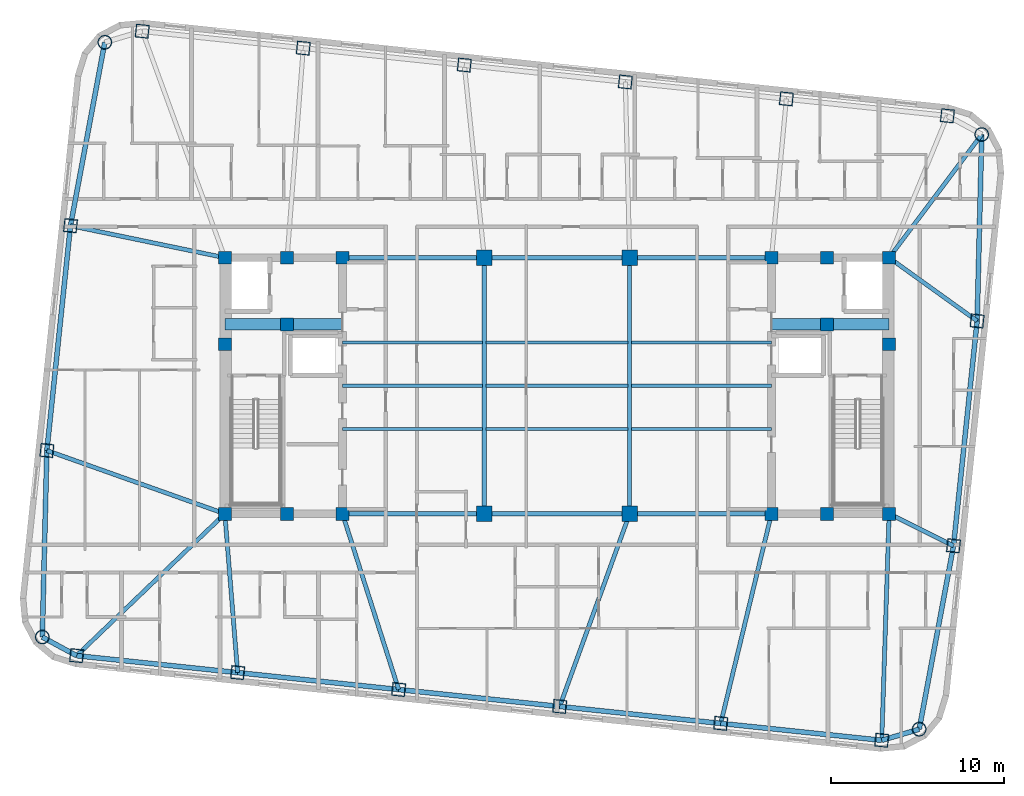
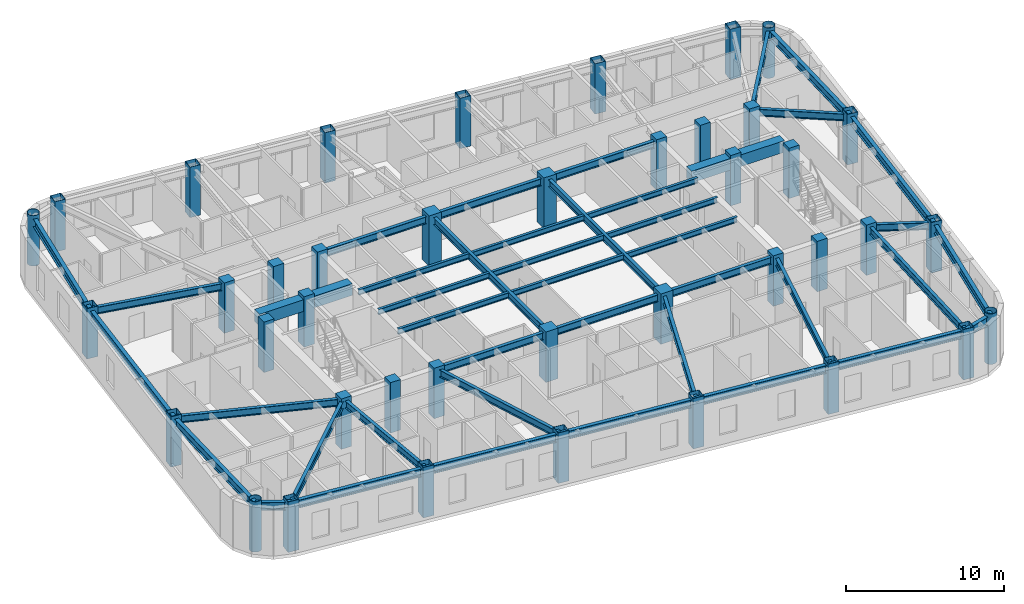
# One storey, part 1 of 11: 43 beams, 40 columns.
"""IFC4 building model written with IfcOpenShell, lengths in metres."""

from ifc_helpers import new_model, si_unit, direction, frame, origin, origin_2d, place, context, subcontext, project, spatial, rectangle, hollow_rectangle, hollow_circle, i_section, extrude, material, material_profile, profile_set, type_object, element, save


model = new_model("IFC4")

# Units and contexts
model_context = context("Model", 3, precision=1e-05, world=origin(), true_north=direction((0.0, 1.0)))
body_context = subcontext(model_context, "Body", "Model", "MODEL_VIEW")
ifc_project = project(units=[si_unit("LENGTHUNIT", "METRE"), si_unit("AREAUNIT", "SQUARE_METRE"), si_unit("VOLUMEUNIT", "CUBIC_METRE"), si_unit("PLANEANGLEUNIT", "RADIAN"), si_unit("MASSUNIT", "GRAM", prefix="KILO")], contexts=[model_context])

# Site, building, storey
site_placement = place(None, origin())
site = spatial("IfcSite", under=ifc_project, at=site_placement, CompositionType="ELEMENT")
building_placement = place(site_placement, origin())
building = spatial("IfcBuilding", under=site, at=building_placement, Name="Voryun Gate Residences", CompositionType="ELEMENT")
storey_placement = place(building_placement, frame((0.0, 0.0, 283.39990234375)))
storey = spatial("IfcBuildingStorey", under=building, at=storey_placement, Name="L70", CompositionType="ELEMENT", Elevation=283.39990234375)

# Columns
ifc_material_1 = material(Name="Concrete C50/60", Category="concrete")
ifc_material_profile_1 = material_profile(ifc_material_1, rectangle(XDim=0.75, YDim=0.75, at=origin_2d()), Name="RC-750x750")
ifc_profile_set_1 = profile_set([ifc_material_profile_1], Name="Concrete C50/60")
column_type_1 = type_object("IfcColumnType", Name="COL_CORE_750", PredefinedType="COLUMN", material=ifc_profile_set_1)
for number, where, z_axis, x_axis, name in (
    (1, (-19.199951171875, -7.39990234375, 0.0), (0.0, 0.0, 1.0), (1.0, 0.0, 0.0), "L70 Core boundary column WC-SW"),
    (2, (-19.199951171875, 2.39990234375, 0.0), (0.0, 0.0, 1.0), (1.0, 0.0, 0.0), "L70 Core boundary column WC-MW"),
    (3, (-19.199951171875, 7.39990234375, 0.0), (0.0, 0.0, 1.0), (1.0, 0.0, 0.0), "L70 Core boundary column WC-NW"),
    (4, (-15.60009765625, -7.39990234375, 0.0), (0.0, 0.0, 1.0), (1.0, 0.0, 0.0), "L70 Core boundary column WC-SM"),
    (5, (-15.60009765625, 7.39990234375, 0.0), (0.0, 0.0, 1.0), (1.0, 0.0, 0.0), "L70 Core boundary column WC-NM"),
    (6, (-12.39990234375, -7.39990234375, 0.0), (0.0, 0.0, 1.0), (1.0, 0.0, 0.0), "L70 Core boundary column WC-SE"),
    (7, (-15.60009765625, 3.550048828125, 0.0), (0.0, 0.0, 1.0), (1.0, 0.0, 0.0), "L70 Core boundary column WC-MM"),
    (8, (-12.39990234375, 7.39990234375, 0.0), (0.0, 0.0, 1.0), (1.0, 0.0, 0.0), "L70 Core boundary column WC-NE"),
    (9, (12.39990234375, -7.39990234375, 0.0), (0.0, 0.0, 1.0), (1.0, 0.0, 0.0), "L70 Core boundary column EC-SW"),
    (10, (15.60009765625, 3.550048828125, 0.0), (0.0, 0.0, 1.0), (1.0, 0.0, 0.0), "L70 Core boundary column EC-MM"),
    (11, (12.39990234375, 7.39990234375, 0.0), (0.0, 0.0, 1.0), (1.0, 0.0, 0.0), "L70 Core boundary column EC-NW"),
    (12, (15.60009765625, -7.39990234375, 0.0), (0.0, 0.0, 1.0), (1.0, 0.0, 0.0), "L70 Core boundary column EC-SM"),
    (13, (15.60009765625, 7.39990234375, 0.0), (0.0, 0.0, 1.0), (1.0, 0.0, 0.0), "L70 Core boundary column EC-NM"),
    (14, (19.199951171875, -7.39990234375, 0.0), (0.0, 0.0, 1.0), (1.0, 0.0, 0.0), "L70 Core boundary column EC-SE"),
    (15, (19.199951171875, 2.39990234375, 0.0), (0.0, 0.0, 1.0), (1.0, 0.0, 0.0), "L70 Core boundary column EC-ME"),
    (16, (19.199951171875, 7.39990234375, 0.0), (0.0, 0.0, 1.0), (1.0, 0.0, 0.0), "L70 Core boundary column EC-NE"),
):
    element("IfcColumn", number, at=place(storey_placement, frame(where, z_axis=z_axis, x_axis=x_axis)), inside=storey, type_object=column_type_1, Name=name, PredefinedType="COLUMN", context=body_context, shape_type="SweptSolid", body=[
        extrude(rectangle(XDim=0.75, YDim=0.75, at=origin_2d()), origin(), (0.0, 0.0, 1.0), 3.900146484375),
    ])
ifc_material_2 = material(Name="Concrete C50/60", Category="concrete")
ifc_material_profile_2 = material_profile(ifc_material_2, rectangle(XDim=0.89990234375, YDim=0.89990234375, at=origin_2d()), Name="RC-900x900")
ifc_profile_set_2 = profile_set([ifc_material_profile_2], Name="Concrete C50/60")
column_type_2 = type_object("IfcColumnType", Name="COL_CORE_900", PredefinedType="COLUMN", material=ifc_profile_set_2)
for number, where, z_axis, x_axis, name in (
    (17, (-4.199951171875, -7.39990234375, 0.0), (0.0, 0.0, 1.0), (1.0, 0.0, 0.0), "L70 Interior spine column SP-WS"),
    (18, (-4.199951171875, 7.39990234375, 0.0), (0.0, 0.0, 1.0), (1.0, 0.0, 0.0), "L70 Interior spine column SP-WN"),
    (19, (4.199951171875, -7.39990234375, 0.0), (0.0, 0.0, 1.0), (1.0, 0.0, 0.0), "L70 Interior spine column SP-ES"),
    (20, (4.199951171875, 7.39990234375, 0.0), (0.0, 0.0, 1.0), (1.0, 0.0, 0.0), "L70 Interior spine column SP-EN"),
):
    element("IfcColumn", number, at=place(storey_placement, frame(where, z_axis=z_axis, x_axis=x_axis)), inside=storey, type_object=column_type_2, Name=name, PredefinedType="COLUMN", context=body_context, shape_type="SweptSolid", body=[
        extrude(rectangle(XDim=0.89990234375, YDim=0.89990234375, at=origin_2d()), origin(), (0.0, 0.0, 1.0), 3.900146484375),
    ])
ifc_material_3 = material(Name="Steel SM355", Category="steel")
ifc_material_profile_3 = material_profile(ifc_material_3, hollow_circle(Radius=0.39990234375, WallThickness=0.028076171875, at=origin_2d()), Name="CHS-800x28")
ifc_profile_set_3 = profile_set([ifc_material_profile_3], Name="Steel SM355")
column_type_3 = type_object("IfcColumnType", Name="COL_CRN_800", PredefinedType="COLUMN", material=ifc_profile_set_3)
for number, where, z_axis, x_axis, name in (
    (21, (20.939453125, -19.855224609375, 0.0), (0.0, 0.0, 1.0), (0.994521895368, -0.104528463268, 0.0), "L70 Exoskeleton column CSE"),
    (22, (24.55322265625, 14.52734375, 0.0), (0.0, 0.0, 1.0), (0.994521895368, -0.104528463268, 0.0), "L70 Exoskeleton column CNE"),
    (23, (-26.139404296875, 19.855224609375, 0.0), (0.0, 0.0, 1.0), (0.994521895368, -0.104528463268, 0.0), "L70 Exoskeleton column CNW"),
    (24, (-29.753173828125, -14.52734375, 0.0), (0.0, 0.0, 1.0), (0.994521895368, -0.104528463268, 0.0), "L70 Exoskeleton column CSW"),
):
    element("IfcColumn", number, at=place(storey_placement, frame(where, z_axis=z_axis, x_axis=x_axis)), inside=storey, type_object=column_type_3, Name=name, PredefinedType="COLUMN", context=body_context, shape_type="SweptSolid", body=[
        extrude(hollow_circle(Radius=0.39990234375, WallThickness=0.028076171875, at=origin_2d()), origin(), (0.0, 0.0, 1.0), 3.900146484375),
    ])
ifc_material_4 = material(Name="Steel SM355", Category="steel")
ifc_material_profile_4 = material_profile(ifc_material_4, hollow_rectangle(XDim=0.75, YDim=0.75, WallThickness=0.02490234375, at=origin_2d()), Name="BOX-750x750x25")
ifc_profile_set_4 = profile_set([ifc_material_profile_4], Name="Steel SM355")
column_type_4 = type_object("IfcColumnType", Name="COL_EXO_B5", PredefinedType="COLUMN", material=ifc_profile_set_4)
for number, where, z_axis, x_axis, name in (
    (25, (-27.76904296875, -15.6044921875, 0.0), (0.0, 0.0, 1.0), (0.994521895368, -0.104528463268, 0.0), "L70 Exoskeleton column S1"),
    (26, (-18.460205078125, -16.5830078125, 0.0), (0.0, 0.0, 1.0), (0.994521895368, -0.104528463268, 0.0), "L70 Exoskeleton column S2"),
    (27, (-9.151611328125, -17.561279296875, 0.0), (0.0, 0.0, 1.0), (0.994521895368, -0.104528463268, 0.0), "L70 Exoskeleton column S3"),
    (28, (0.1572265625, -18.539794921875, 0.0), (0.0, 0.0, 1.0), (0.994521895368, -0.104528463268, 0.0), "L70 Exoskeleton column S4"),
    (29, (9.4658203125, -19.51806640625, 0.0), (0.0, 0.0, 1.0), (0.994521895368, -0.104528463268, 0.0), "L70 Exoskeleton column S5"),
    (30, (18.774658203125, -20.49658203125, 0.0), (0.0, 0.0, 1.0), (0.994521895368, -0.104528463268, 0.0), "L70 Exoskeleton column S6"),
    (31, (22.922607421875, -9.25244140625, 0.0), (0.0, 0.0, 1.0), (0.994521895368, -0.104528463268, 0.0), "L70 Exoskeleton column E1"),
    (32, (24.28857421875, 3.743896484375, 0.0), (0.0, 0.0, 1.0), (0.994521895368, -0.104528463268, 0.0), "L70 Exoskeleton column E2"),
    (33, (22.569091796875, 15.6044921875, 0.0), (0.0, 0.0, 1.0), (0.994521895368, -0.104528463268, 0.0), "L70 Exoskeleton column N1"),
    (34, (13.26025390625, 16.5830078125, 0.0), (0.0, 0.0, 1.0), (0.994521895368, -0.104528463268, 0.0), "L70 Exoskeleton column N2"),
    (35, (3.95166015625, 17.561279296875, 0.0), (0.0, 0.0, 1.0), (0.994521895368, -0.104528463268, 0.0), "L70 Exoskeleton column N3"),
    (36, (-5.357177734375, 18.539794921875, 0.0), (0.0, 0.0, 1.0), (0.994521895368, -0.104528463268, 0.0), "L70 Exoskeleton column N4"),
    (37, (-14.666015625, 19.51806640625, 0.0), (0.0, 0.0, 1.0), (0.994521895368, -0.104528463268, 0.0), "L70 Exoskeleton column N5"),
    (38, (-23.974609375, 20.49658203125, 0.0), (0.0, 0.0, 1.0), (0.994521895368, -0.104528463268, 0.0), "L70 Exoskeleton column N6"),
    (39, (-28.12255859375, 9.25244140625, 0.0), (0.0, 0.0, 1.0), (0.994521895368, -0.104528463268, 0.0), "L70 Exoskeleton column W1"),
    (40, (-29.488525390625, -3.743896484375, 0.0), (0.0, 0.0, 1.0), (0.994521895368, -0.104528463268, 0.0), "L70 Exoskeleton column W2"),
):
    element("IfcColumn", number, at=place(storey_placement, frame(where, z_axis=z_axis, x_axis=x_axis)), inside=storey, type_object=column_type_4, Name=name, PredefinedType="COLUMN", context=body_context, shape_type="SweptSolid", body=[
        extrude(hollow_rectangle(XDim=0.75, YDim=0.75, WallThickness=0.02490234375, at=origin_2d()), origin(), (0.0, 0.0, 1.0), 3.900146484375),
    ])

# Beams
ifc_material_5 = material(Name="Concrete C60/75", Category="concrete")
ifc_material_profile_5 = material_profile(ifc_material_5, rectangle(XDim=0.64990234375, YDim=0.89990234375, at=origin_2d()), Name="RC-650x900")
ifc_profile_set_5 = profile_set([ifc_material_profile_5], Name="Concrete C60/75")
beam_type_1 = type_object("IfcBeamType", Name="BM_COUP_RC900", PredefinedType="LINTEL", material=ifc_profile_set_5)
for number, where, z_axis, x_axis, name in (
    (41, (-19.199951171875, 3.550048828125, 3.2001953125), (1.0, 0.0, 0.0), (0.0, 1.0, 0.0), "BM-L70-WC1"),
    (42, (12.39990234375, 3.550048828125, 3.2001953125), (1.0, 0.0, 0.0), (0.0, 1.0, 0.0), "BM-L70-EC1"),
):
    element("IfcBeam", number, at=place(storey_placement, frame(where, z_axis=z_axis, x_axis=x_axis)), inside=storey, type_object=beam_type_1, Name=name, PredefinedType="LINTEL", context=body_context, shape_type="SweptSolid", body=[
        extrude(rectangle(XDim=0.64990234375, YDim=0.89990234375, at=origin_2d()), origin(), (0.0, 0.0, 1.0), 6.800048828125),
    ])
ifc_material_6 = material(Name="Steel SM355", Category="steel")
ifc_material_profile_6 = material_profile(ifc_material_6, i_section(OverallWidth=0.280029296875, OverallDepth=0.6201171875, WebThickness=0.013916015625, FlangeThickness=0.02197265625, FilletRadius=0.01806640625, at=origin_2d()), Name="H-620x280x14x22")
ifc_profile_set_6 = profile_set([ifc_material_profile_6], Name="Steel SM355")
beam_type_2 = type_object("IfcBeamType", Name="BM_EXO_SPANDREL_H", PredefinedType="SPANDREL", material=ifc_profile_set_6)
beam_1_placement = place(storey_placement, frame((-27.76904296875, -15.6044921875, 3.340087890625), z_axis=(0.994520592114, -0.104540862157, 0.0), x_axis=(0.104540862157, 0.994520592114, 0.0)))
element("IfcBeam", 43, at=beam_1_placement, inside=storey, type_object=beam_type_2, Name="BM-L70-SPAND-01", PredefinedType="SPANDREL", context=body_context, shape_type="SweptSolid", body=[
    extrude(i_section(OverallWidth=0.280029296875, OverallDepth=0.6201171875, WebThickness=0.013916015625, FlangeThickness=0.02197265625, FilletRadius=0.01806640625, at=origin_2d()), origin(), (0.0, 0.0, 1.0), 9.360107421875),
])
beam_2_placement = place(storey_placement, frame((-18.460205078125, -16.5830078125, 3.340087890625), z_axis=(0.994523018663, -0.104517775278, 0.0), x_axis=(0.104517775278, 0.994523018663, 0.0)))
element("IfcBeam", 44, at=beam_2_placement, inside=storey, type_object=beam_type_2, Name="BM-L70-SPAND-02", PredefinedType="SPANDREL", context=body_context, shape_type="SweptSolid", body=[
    extrude(i_section(OverallWidth=0.280029296875, OverallDepth=0.6201171875, WebThickness=0.013916015625, FlangeThickness=0.02197265625, FilletRadius=0.01806640625, at=origin_2d()), origin(), (0.0, 0.0, 1.0), 9.35986328125),
])
beam_3_placement = place(storey_placement, frame((-9.151611328125, -17.561279296875, 3.340087890625), z_axis=(0.994520592114, -0.104540862157, 0.0), x_axis=(0.104540862157, 0.994520592114, 0.0)))
element("IfcBeam", 45, at=beam_3_placement, inside=storey, type_object=beam_type_2, Name="BM-L70-SPAND-03", PredefinedType="SPANDREL", context=body_context, shape_type="SweptSolid", body=[
    extrude(i_section(OverallWidth=0.280029296875, OverallDepth=0.6201171875, WebThickness=0.013916015625, FlangeThickness=0.02197265625, FilletRadius=0.01806640625, at=origin_2d()), origin(), (0.0, 0.0, 1.0), 9.360107421875),
])
beam_4_placement = place(storey_placement, frame((0.1572265625, -18.539794921875, 3.340087890625), z_axis=(0.994523018663, -0.104517775278, 0.0), x_axis=(0.104517775278, 0.994523018663, 0.0)))
element("IfcBeam", 46, at=beam_4_placement, inside=storey, type_object=beam_type_2, Name="BM-L70-SPAND-04", PredefinedType="SPANDREL", context=body_context, shape_type="SweptSolid", body=[
    extrude(i_section(OverallWidth=0.280029296875, OverallDepth=0.6201171875, WebThickness=0.013916015625, FlangeThickness=0.02197265625, FilletRadius=0.01806640625, at=origin_2d()), origin(), (0.0, 0.0, 1.0), 9.35986328125),
])
beam_5_placement = place(storey_placement, frame((9.4658203125, -19.51806640625, 3.340087890625), z_axis=(0.994520592114, -0.104540862157, 0.0), x_axis=(0.104540862157, 0.994520592114, 0.0)))
element("IfcBeam", 47, at=beam_5_placement, inside=storey, type_object=beam_type_2, Name="BM-L70-SPAND-05", PredefinedType="SPANDREL", context=body_context, shape_type="SweptSolid", body=[
    extrude(i_section(OverallWidth=0.280029296875, OverallDepth=0.6201171875, WebThickness=0.013916015625, FlangeThickness=0.02197265625, FilletRadius=0.01806640625, at=origin_2d()), origin(), (0.0, 0.0, 1.0), 9.360107421875),
])
beam_6_placement = place(storey_placement, frame((18.774658203125, -20.49658203125, 3.340087890625), z_axis=(0.958805748412, 0.28406255792, 0.0), x_axis=(-0.28406255792, 0.958805748412, 0.0)))
element("IfcBeam", 48, at=beam_6_placement, inside=storey, type_object=beam_type_2, Name="BM-L70-SPAND-06", PredefinedType="SPANDREL", context=body_context, shape_type="SweptSolid", body=[
    extrude(i_section(OverallWidth=0.280029296875, OverallDepth=0.6201171875, WebThickness=0.013916015625, FlangeThickness=0.02197265625, FilletRadius=0.01806640625, at=origin_2d()), origin(), (0.0, 0.0, 1.0), 2.2578125),
])
beam_7_placement = place(storey_placement, frame((20.939453125, -19.855224609375, 3.340087890625), z_axis=(0.183852585596, 0.982953827384, 0.0), x_axis=(-0.982953827384, 0.183852585596, 0.0)))
element("IfcBeam", 49, at=beam_7_placement, inside=storey, type_object=beam_type_2, Name="BM-L70-SPAND-07", PredefinedType="SPANDREL", context=body_context, shape_type="SweptSolid", body=[
    extrude(i_section(OverallWidth=0.280029296875, OverallDepth=0.6201171875, WebThickness=0.013916015625, FlangeThickness=0.02197265625, FilletRadius=0.01806640625, at=origin_2d()), origin(), (0.0, 0.0, 1.0), 10.78662109375),
])
beam_8_placement = place(storey_placement, frame((22.922607421875, -9.25244140625, 3.340087890625), z_axis=(0.104528209082, 0.994521922084, 0.0), x_axis=(-0.994521922084, 0.104528209082, 0.0)))
element("IfcBeam", 50, at=beam_8_placement, inside=storey, type_object=beam_type_2, Name="BM-L70-SPAND-08", PredefinedType="SPANDREL", context=body_context, shape_type="SweptSolid", body=[
    extrude(i_section(OverallWidth=0.280029296875, OverallDepth=0.6201171875, WebThickness=0.013916015625, FlangeThickness=0.02197265625, FilletRadius=0.01806640625, at=origin_2d()), origin(), (0.0, 0.0, 1.0), 13.06787109375),
])
for number, where, z_axis, x_axis, name in (
    (51, (24.28857421875, 3.743896484375, 3.340087890625), (0.024534711967, 0.999698978647, 0.0), (-0.999698978647, 0.024534711967, 0.0), "BM-L70-SPAND-09"),
    (52, (-26.139404296875, 19.855224609375, 3.340087890625), (-0.183852585596, -0.982953827384, 0.0), (0.982953827384, -0.183852585596, 0.0), "BM-L70-SPAND-17"),
):
    element("IfcBeam", number, at=place(storey_placement, frame(where, z_axis=z_axis, x_axis=x_axis)), inside=storey, type_object=beam_type_2, Name=name, PredefinedType="SPANDREL", context=body_context, shape_type="SweptSolid", body=[
        extrude(i_section(OverallWidth=0.280029296875, OverallDepth=0.6201171875, WebThickness=0.013916015625, FlangeThickness=0.02197265625, FilletRadius=0.01806640625, at=origin_2d()), origin(), (0.0, 0.0, 1.0), 10.78662109375),
    ])
beam_9_placement = place(storey_placement, frame((-28.12255859375, 9.25244140625, 3.340087890625), z_axis=(-0.104528209082, -0.994521922084, 0.0), x_axis=(0.994521922084, -0.104528209082, 0.0)))
element("IfcBeam", 53, at=beam_9_placement, inside=storey, type_object=beam_type_2, Name="BM-L70-SPAND-18", PredefinedType="SPANDREL", context=body_context, shape_type="SweptSolid", body=[
    extrude(i_section(OverallWidth=0.280029296875, OverallDepth=0.6201171875, WebThickness=0.013916015625, FlangeThickness=0.02197265625, FilletRadius=0.01806640625, at=origin_2d()), origin(), (0.0, 0.0, 1.0), 13.06787109375),
])
beam_10_placement = place(storey_placement, frame((-29.488525390625, -3.743896484375, 3.340087890625), z_axis=(-0.024534711967, -0.999698978647, 0.0), x_axis=(0.999698978647, -0.024534711967, 0.0)))
element("IfcBeam", 54, at=beam_10_placement, inside=storey, type_object=beam_type_2, Name="BM-L70-SPAND-19", PredefinedType="SPANDREL", context=body_context, shape_type="SweptSolid", body=[
    extrude(i_section(OverallWidth=0.280029296875, OverallDepth=0.6201171875, WebThickness=0.013916015625, FlangeThickness=0.02197265625, FilletRadius=0.01806640625, at=origin_2d()), origin(), (0.0, 0.0, 1.0), 10.78662109375),
])
beam_11_placement = place(storey_placement, frame((-29.753173828125, -14.52734375, 3.340087890625), z_axis=(0.878844363117, -0.477108567746, 0.0), x_axis=(0.477108567746, 0.878844363117, 0.0)))
element("IfcBeam", 55, at=beam_11_placement, inside=storey, type_object=beam_type_2, Name="BM-L70-SPAND-20", PredefinedType="SPANDREL", context=body_context, shape_type="SweptSolid", body=[
    extrude(i_section(OverallWidth=0.280029296875, OverallDepth=0.6201171875, WebThickness=0.013916015625, FlangeThickness=0.02197265625, FilletRadius=0.01806640625, at=origin_2d()), origin(), (0.0, 0.0, 1.0), 2.257568359375),
])
ifc_material_7 = material(Name="Steel SM355", Category="steel")
ifc_material_profile_7 = material_profile(ifc_material_7, i_section(OverallWidth=0.239990234375, OverallDepth=0.550048828125, WebThickness=0.011962890625, FlangeThickness=0.02001953125, FilletRadius=0.01806640625, at=origin_2d()), Name="H-550x240x12x20")
ifc_profile_set_7 = profile_set([ifc_material_profile_7], Name="Steel SM355")
beam_type_3 = type_object("IfcBeamType", Name="BM_GIRD_550", PredefinedType="USERDEFINED", material=ifc_profile_set_7)
beam_12_placement = place(storey_placement, frame((-12.39990234375, -7.39990234375, 3.375), z_axis=(1.0, 0.0, 0.0), x_axis=(0.0, 1.0, 0.0)))
element("IfcBeam", 56, at=beam_12_placement, inside=storey, type_object=beam_type_3, Name="BM-L70-SPG1-S", ObjectType="GIRDER", PredefinedType="USERDEFINED", context=body_context, shape_type="SweptSolid", body=[
    extrude(i_section(OverallWidth=0.239990234375, OverallDepth=0.550048828125, WebThickness=0.011962890625, FlangeThickness=0.02001953125, FilletRadius=0.01806640625, at=origin_2d()), origin(), (0.0, 0.0, 1.0), 8.199951171875),
])
beam_13_placement = place(storey_placement, frame((-4.199951171875, -7.39990234375, 3.375), z_axis=(1.0, 0.0, 0.0), x_axis=(0.0, 1.0, 0.0)))
element("IfcBeam", 57, at=beam_13_placement, inside=storey, type_object=beam_type_3, Name="BM-L70-SPG2-S", ObjectType="GIRDER", PredefinedType="USERDEFINED", context=body_context, shape_type="SweptSolid", body=[
    extrude(i_section(OverallWidth=0.239990234375, OverallDepth=0.550048828125, WebThickness=0.011962890625, FlangeThickness=0.02001953125, FilletRadius=0.01806640625, at=origin_2d()), origin(), (0.0, 0.0, 1.0), 8.39990234375),
])
for number, where, z_axis, x_axis, name in (
    (58, (4.199951171875, -7.39990234375, 3.375), (1.0, 0.0, 0.0), (0.0, 1.0, 0.0), "BM-L70-SPG3-S"),
    (59, (-12.39990234375, 7.39990234375, 3.375), (1.0, 0.0, 0.0), (0.0, 1.0, 0.0), "BM-L70-SPG1-N"),
):
    element("IfcBeam", number, at=place(storey_placement, frame(where, z_axis=z_axis, x_axis=x_axis)), inside=storey, type_object=beam_type_3, Name=name, ObjectType="GIRDER", PredefinedType="USERDEFINED", context=body_context, shape_type="SweptSolid", body=[
        extrude(i_section(OverallWidth=0.239990234375, OverallDepth=0.550048828125, WebThickness=0.011962890625, FlangeThickness=0.02001953125, FilletRadius=0.01806640625, at=origin_2d()), origin(), (0.0, 0.0, 1.0), 8.199951171875),
    ])
beam_14_placement = place(storey_placement, frame((-4.199951171875, 7.39990234375, 3.375), z_axis=(1.0, 0.0, 0.0), x_axis=(0.0, 1.0, 0.0)))
element("IfcBeam", 60, at=beam_14_placement, inside=storey, type_object=beam_type_3, Name="BM-L70-SPG2-N", ObjectType="GIRDER", PredefinedType="USERDEFINED", context=body_context, shape_type="SweptSolid", body=[
    extrude(i_section(OverallWidth=0.239990234375, OverallDepth=0.550048828125, WebThickness=0.011962890625, FlangeThickness=0.02001953125, FilletRadius=0.01806640625, at=origin_2d()), origin(), (0.0, 0.0, 1.0), 8.39990234375),
])
beam_15_placement = place(storey_placement, frame((4.199951171875, 7.39990234375, 3.375), z_axis=(1.0, 0.0, 0.0), x_axis=(0.0, 1.0, 0.0)))
element("IfcBeam", 61, at=beam_15_placement, inside=storey, type_object=beam_type_3, Name="BM-L70-SPG3-N", ObjectType="GIRDER", PredefinedType="USERDEFINED", context=body_context, shape_type="SweptSolid", body=[
    extrude(i_section(OverallWidth=0.239990234375, OverallDepth=0.550048828125, WebThickness=0.011962890625, FlangeThickness=0.02001953125, FilletRadius=0.01806640625, at=origin_2d()), origin(), (0.0, 0.0, 1.0), 8.199951171875),
])
for number, where, z_axis, x_axis, name in (
    (62, (-4.199951171875, -7.39990234375, 3.375), (0.0, 1.0, 0.0), (-1.0, 0.0, 0.0), "BM-L70-SPX-W"),
    (63, (4.199951171875, -7.39990234375, 3.375), (0.0, 1.0, 0.0), (-1.0, 0.0, 0.0), "BM-L70-SPX-E"),
):
    element("IfcBeam", number, at=place(storey_placement, frame(where, z_axis=z_axis, x_axis=x_axis)), inside=storey, type_object=beam_type_3, Name=name, ObjectType="GIRDER", PredefinedType="USERDEFINED", context=body_context, shape_type="SweptSolid", body=[
        extrude(i_section(OverallWidth=0.239990234375, OverallDepth=0.550048828125, WebThickness=0.011962890625, FlangeThickness=0.02001953125, FilletRadius=0.01806640625, at=origin_2d()), origin(), (0.0, 0.0, 1.0), 14.7998046875),
    ])
beam_16_placement = place(storey_placement, frame((-19.199951171875, -7.39990234375, 3.375), z_axis=(-0.722302104769, -0.691577666966, 0.0), x_axis=(0.691577666966, -0.722302104769, 0.0)))
element("IfcBeam", 64, at=beam_16_placement, inside=storey, type_object=beam_type_3, Name="BM-L70-RAD-S1", ObjectType="GIRDER", PredefinedType="USERDEFINED", context=body_context, shape_type="SweptSolid", body=[
    extrude(i_section(OverallWidth=0.239990234375, OverallDepth=0.550048828125, WebThickness=0.011962890625, FlangeThickness=0.02001953125, FilletRadius=0.01806640625, at=origin_2d()), origin(), (0.0, 0.0, 1.0), 11.863525390625),
])
beam_17_placement = place(storey_placement, frame((-19.199951171875, -7.39990234375, 3.375), z_axis=(0.080295011504, -0.996771142804, 0.0), x_axis=(0.996771142804, 0.080295011504, 0.0)))
element("IfcBeam", 65, at=beam_17_placement, inside=storey, type_object=beam_type_3, Name="BM-L70-RAD-S2", ObjectType="GIRDER", PredefinedType="USERDEFINED", context=body_context, shape_type="SweptSolid", body=[
    extrude(i_section(OverallWidth=0.239990234375, OverallDepth=0.550048828125, WebThickness=0.011962890625, FlangeThickness=0.02001953125, FilletRadius=0.01806640625, at=origin_2d()), origin(), (0.0, 0.0, 1.0), 9.212890625),
])
beam_18_placement = place(storey_placement, frame((-12.39990234375, -7.39990234375, 3.375), z_axis=(0.30449089095, -0.952515247819, 0.0), x_axis=(0.952515247819, 0.30449089095, 0.0)))
element("IfcBeam", 66, at=beam_18_placement, inside=storey, type_object=beam_type_3, Name="BM-L70-RAD-S3", ObjectType="GIRDER", PredefinedType="USERDEFINED", context=body_context, shape_type="SweptSolid", body=[
    extrude(i_section(OverallWidth=0.239990234375, OverallDepth=0.550048828125, WebThickness=0.011962890625, FlangeThickness=0.02001953125, FilletRadius=0.01806640625, at=origin_2d()), origin(), (0.0, 0.0, 1.0), 10.66796875),
])
beam_19_placement = place(storey_placement, frame((4.199951171875, -7.39990234375, 3.375), z_axis=(-0.341135931896, -0.940013976476, 0.0), x_axis=(0.940013976476, -0.341135931896, 0.0)))
element("IfcBeam", 67, at=beam_19_placement, inside=storey, type_object=beam_type_3, Name="BM-L70-RAD-S4", ObjectType="GIRDER", PredefinedType="USERDEFINED", context=body_context, shape_type="SweptSolid", body=[
    extrude(i_section(OverallWidth=0.239990234375, OverallDepth=0.550048828125, WebThickness=0.011962890625, FlangeThickness=0.02001953125, FilletRadius=0.01806640625, at=origin_2d()), origin(), (0.0, 0.0, 1.0), 11.850830078125),
])
beam_20_placement = place(storey_placement, frame((12.39990234375, -7.39990234375, 3.375), z_axis=(-0.235323166357, -0.971917181336, 0.0), x_axis=(0.971917181336, -0.235323166357, 0.0)))
element("IfcBeam", 68, at=beam_20_placement, inside=storey, type_object=beam_type_3, Name="BM-L70-RAD-S5", ObjectType="GIRDER", PredefinedType="USERDEFINED", context=body_context, shape_type="SweptSolid", body=[
    extrude(i_section(OverallWidth=0.239990234375, OverallDepth=0.550048828125, WebThickness=0.011962890625, FlangeThickness=0.02001953125, FilletRadius=0.01806640625, at=origin_2d()), origin(), (0.0, 0.0, 1.0), 12.46826171875),
])
beam_21_placement = place(storey_placement, frame((19.199951171875, -7.39990234375, 3.375), z_axis=(-0.032456234446, -0.999473157641, 0.0), x_axis=(0.999473157641, -0.032456234446, 0.0)))
element("IfcBeam", 69, at=beam_21_placement, inside=storey, type_object=beam_type_3, Name="BM-L70-RAD-S6", ObjectType="GIRDER", PredefinedType="USERDEFINED", context=body_context, shape_type="SweptSolid", body=[
    extrude(i_section(OverallWidth=0.239990234375, OverallDepth=0.550048828125, WebThickness=0.011962890625, FlangeThickness=0.02001953125, FilletRadius=0.01806640625, at=origin_2d()), origin(), (0.0, 0.0, 1.0), 13.103515625),
])
beam_22_placement = place(storey_placement, frame((19.199951171875, -7.39990234375, 3.375), z_axis=(0.895271074172, -0.445521833081, 0.0), x_axis=(0.445521833081, 0.895271074172, 0.0)))
element("IfcBeam", 70, at=beam_22_placement, inside=storey, type_object=beam_type_3, Name="BM-L70-RAD-E1", ObjectType="GIRDER", PredefinedType="USERDEFINED", context=body_context, shape_type="SweptSolid", body=[
    extrude(i_section(OverallWidth=0.239990234375, OverallDepth=0.550048828125, WebThickness=0.011962890625, FlangeThickness=0.02001953125, FilletRadius=0.01806640625, at=origin_2d()), origin(), (0.0, 0.0, 1.0), 4.158203125),
])
beam_23_placement = place(storey_placement, frame((19.199951171875, 7.39990234375, 3.375), z_axis=(0.81212442094, -0.583484297058, 0.0), x_axis=(0.583484297058, 0.81212442094, 0.0)))
element("IfcBeam", 71, at=beam_23_placement, inside=storey, type_object=beam_type_3, Name="BM-L70-RAD-E2", ObjectType="GIRDER", PredefinedType="USERDEFINED", context=body_context, shape_type="SweptSolid", body=[
    extrude(i_section(OverallWidth=0.239990234375, OverallDepth=0.550048828125, WebThickness=0.011962890625, FlangeThickness=0.02001953125, FilletRadius=0.01806640625, at=origin_2d()), origin(), (0.0, 0.0, 1.0), 6.265869140625),
])
beam_24_placement = place(storey_placement, frame((19.199951171875, 7.39990234375, 3.375), z_axis=(0.60055201327, 0.799585692316, 0.0), x_axis=(-0.799585692316, 0.60055201327, 0.0)))
element("IfcBeam", 72, at=beam_24_placement, inside=storey, type_object=beam_type_3, Name="BM-L70-RAD-CNE", ObjectType="GIRDER", PredefinedType="USERDEFINED", context=body_context, shape_type="SweptSolid", body=[
    extrude(i_section(OverallWidth=0.239990234375, OverallDepth=0.550048828125, WebThickness=0.011962890625, FlangeThickness=0.02001953125, FilletRadius=0.01806640625, at=origin_2d()), origin(), (0.0, 0.0, 1.0), 8.913818359375),
])
beam_25_placement = place(storey_placement, frame((-19.199951171875, 7.39990234375, 3.375), z_axis=(-0.979119049711, 0.203287693907, 0.0), x_axis=(-0.203287693907, -0.979119049711, 0.0)))
element("IfcBeam", 73, at=beam_25_placement, inside=storey, type_object=beam_type_3, Name="BM-L70-RAD-W1", ObjectType="GIRDER", PredefinedType="USERDEFINED", context=body_context, shape_type="SweptSolid", body=[
    extrude(i_section(OverallWidth=0.239990234375, OverallDepth=0.550048828125, WebThickness=0.011962890625, FlangeThickness=0.02001953125, FilletRadius=0.01806640625, at=origin_2d()), origin(), (0.0, 0.0, 1.0), 9.11279296875),
])
beam_26_placement = place(storey_placement, frame((-19.199951171875, -7.39990234375, 3.375), z_axis=(-0.942276939669, 0.334834539688, 0.0), x_axis=(-0.334834539688, -0.942276939669, 0.0)))
element("IfcBeam", 74, at=beam_26_placement, inside=storey, type_object=beam_type_3, Name="BM-L70-RAD-W2", ObjectType="GIRDER", PredefinedType="USERDEFINED", context=body_context, shape_type="SweptSolid", body=[
    extrude(i_section(OverallWidth=0.239990234375, OverallDepth=0.550048828125, WebThickness=0.011962890625, FlangeThickness=0.02001953125, FilletRadius=0.01806640625, at=origin_2d()), origin(), (0.0, 0.0, 1.0), 10.9189453125),
])
ifc_material_8 = material(Name="Steel SM355", Category="steel")
ifc_material_profile_8 = material_profile(ifc_material_8, i_section(OverallWidth=0.18994140625, OverallDepth=0.419921875, WebThickness=0.009033203125, FlangeThickness=0.01611328125, FilletRadius=0.01806640625, at=origin_2d()), Name="H-420x190x9x16")
ifc_profile_set_8 = profile_set([ifc_material_profile_8], Name="Steel SM355")
beam_type_4 = type_object("IfcBeamType", Name="BM_SEC_420", PredefinedType="BEAM", material=ifc_profile_set_8)
beam_27_placement = place(storey_placement, frame((-12.39990234375, -2.5, 3.440185546875), z_axis=(1.0, 0.0, 0.0), x_axis=(0.0, 1.0, 0.0)))
element("IfcBeam", 75, at=beam_27_placement, inside=storey, type_object=beam_type_4, Name="BM-L70-SEC-CS1", PredefinedType="BEAM", context=body_context, shape_type="SweptSolid", body=[
    extrude(i_section(OverallWidth=0.18994140625, OverallDepth=0.419921875, WebThickness=0.009033203125, FlangeThickness=0.01611328125, FilletRadius=0.01806640625, at=origin_2d()), origin(), (0.0, 0.0, 1.0), 8.099853515625),
])
beam_28_placement = place(storey_placement, frame((-4.10009765625, -2.5, 3.440185546875), z_axis=(1.0, 0.0, 0.0), x_axis=(0.0, 1.0, 0.0)))
element("IfcBeam", 76, at=beam_28_placement, inside=storey, type_object=beam_type_4, Name="BM-L70-SEC-CS2", PredefinedType="BEAM", context=body_context, shape_type="SweptSolid", body=[
    extrude(i_section(OverallWidth=0.18994140625, OverallDepth=0.419921875, WebThickness=0.009033203125, FlangeThickness=0.01611328125, FilletRadius=0.01806640625, at=origin_2d()), origin(), (0.0, 0.0, 1.0), 8.2001953125),
])
for number, where, z_axis, x_axis, name in (
    (77, (4.300048828125, -2.5, 3.440185546875), (1.0, 0.0, 0.0), (0.0, 1.0, 0.0), "BM-L70-SEC-CS3"),
    (78, (-12.39990234375, 0.0, 3.440185546875), (1.0, 0.0, 0.0), (0.0, 1.0, 0.0), "BM-L70-SEC-CM1"),
):
    element("IfcBeam", number, at=place(storey_placement, frame(where, z_axis=z_axis, x_axis=x_axis)), inside=storey, type_object=beam_type_4, Name=name, PredefinedType="BEAM", context=body_context, shape_type="SweptSolid", body=[
        extrude(i_section(OverallWidth=0.18994140625, OverallDepth=0.419921875, WebThickness=0.009033203125, FlangeThickness=0.01611328125, FilletRadius=0.01806640625, at=origin_2d()), origin(), (0.0, 0.0, 1.0), 8.099853515625),
    ])
beam_29_placement = place(storey_placement, frame((-4.10009765625, 0.0, 3.440185546875), z_axis=(1.0, 0.0, 0.0), x_axis=(0.0, 1.0, 0.0)))
element("IfcBeam", 79, at=beam_29_placement, inside=storey, type_object=beam_type_4, Name="BM-L70-SEC-CM2", PredefinedType="BEAM", context=body_context, shape_type="SweptSolid", body=[
    extrude(i_section(OverallWidth=0.18994140625, OverallDepth=0.419921875, WebThickness=0.009033203125, FlangeThickness=0.01611328125, FilletRadius=0.01806640625, at=origin_2d()), origin(), (0.0, 0.0, 1.0), 8.2001953125),
])
for number, where, z_axis, x_axis, name in (
    (80, (4.300048828125, 0.0, 3.440185546875), (1.0, 0.0, 0.0), (0.0, 1.0, 0.0), "BM-L70-SEC-CM3"),
    (81, (-12.39990234375, 2.5, 3.440185546875), (1.0, 0.0, 0.0), (0.0, 1.0, 0.0), "BM-L70-SEC-CN1"),
):
    element("IfcBeam", number, at=place(storey_placement, frame(where, z_axis=z_axis, x_axis=x_axis)), inside=storey, type_object=beam_type_4, Name=name, PredefinedType="BEAM", context=body_context, shape_type="SweptSolid", body=[
        extrude(i_section(OverallWidth=0.18994140625, OverallDepth=0.419921875, WebThickness=0.009033203125, FlangeThickness=0.01611328125, FilletRadius=0.01806640625, at=origin_2d()), origin(), (0.0, 0.0, 1.0), 8.099853515625),
    ])
beam_30_placement = place(storey_placement, frame((-4.10009765625, 2.5, 3.440185546875), z_axis=(1.0, 0.0, 0.0), x_axis=(0.0, 1.0, 0.0)))
element("IfcBeam", 82, at=beam_30_placement, inside=storey, type_object=beam_type_4, Name="BM-L70-SEC-CN2", PredefinedType="BEAM", context=body_context, shape_type="SweptSolid", body=[
    extrude(i_section(OverallWidth=0.18994140625, OverallDepth=0.419921875, WebThickness=0.009033203125, FlangeThickness=0.01611328125, FilletRadius=0.01806640625, at=origin_2d()), origin(), (0.0, 0.0, 1.0), 8.2001953125),
])
beam_31_placement = place(storey_placement, frame((4.300048828125, 2.5, 3.440185546875), z_axis=(1.0, 0.0, 0.0), x_axis=(0.0, 1.0, 0.0)))
element("IfcBeam", 83, at=beam_31_placement, inside=storey, type_object=beam_type_4, Name="BM-L70-SEC-CN3", PredefinedType="BEAM", context=body_context, shape_type="SweptSolid", body=[
    extrude(i_section(OverallWidth=0.18994140625, OverallDepth=0.419921875, WebThickness=0.009033203125, FlangeThickness=0.01611328125, FilletRadius=0.01806640625, at=origin_2d()), origin(), (0.0, 0.0, 1.0), 8.099853515625),
])

save(model, "model.ifc")
